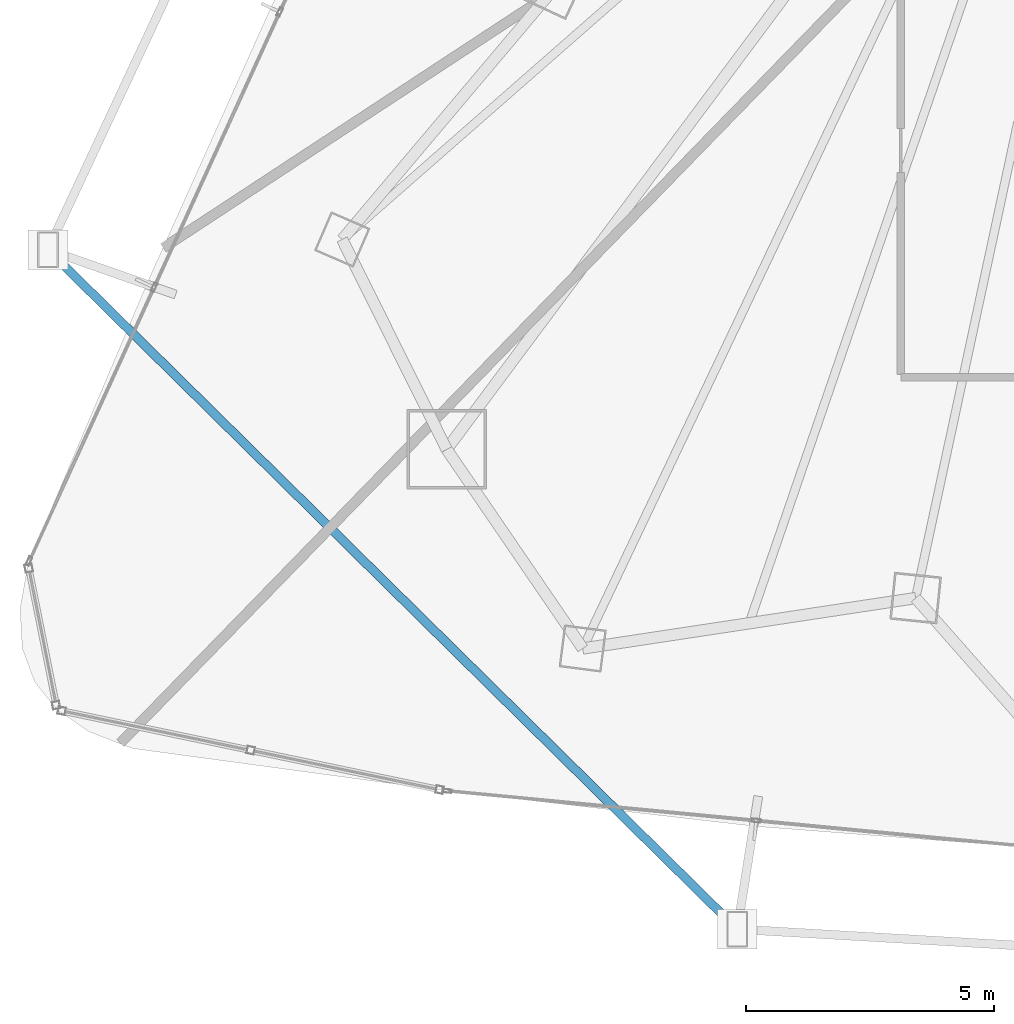
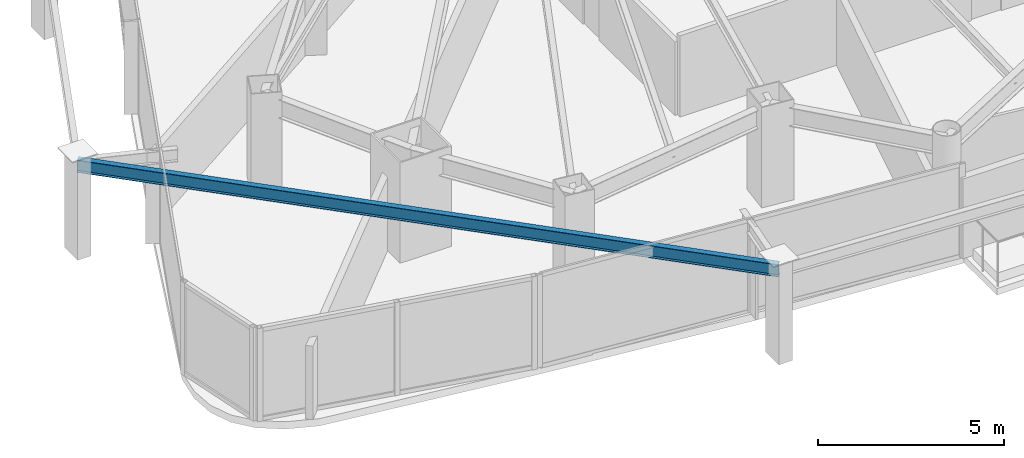
# One storey, part 3 of 33: 1 beam.
"""IFC4 building model written with IfcOpenShell, lengths in metres."""

from ifc_helpers import new_model, si_unit, direction, frame, origin, origin_2d, place, context, subcontext, project, spatial, i_section, extrude, material, material_profile, profile_set, type_object, element, save


model = new_model("IFC4")

# Units and contexts
model_context = context("Model", 3, precision=1e-05, world=origin(), true_north=direction((0.0, 1.0)))
body_context = subcontext(model_context, "Body", "Model", "MODEL_VIEW")
ifc_project = project(units=[si_unit("LENGTHUNIT", "METRE"), si_unit("AREAUNIT", "SQUARE_METRE"), si_unit("VOLUMEUNIT", "CUBIC_METRE"), si_unit("PLANEANGLEUNIT", "RADIAN"), si_unit("MASSUNIT", "GRAM", prefix="KILO")], contexts=[model_context])

# Site, building, storey
site_placement = place(None, origin())
site = spatial("IfcSite", under=ifc_project, at=site_placement, CompositionType="ELEMENT")
building_placement = place(site_placement, origin())
building = spatial("IfcBuilding", under=site, at=building_placement, Name="Orvanel Arch Residences", CompositionType="ELEMENT")
storey_placement = place(building_placement, frame((0.0, 0.0, 87.35009765625)))
storey = spatial("IfcBuildingStorey", under=building, at=storey_placement, Name="L24", CompositionType="ELEMENT", Elevation=87.35009765625)

# Beam
ifc_material = material(Name="Structural steel AS/NZS 3679.1 Grade 300 (300 MPa)", Category="steel")
ifc_material_profile = material_profile(ifc_material, i_section(OverallWidth=0.177978515625, OverallDepth=0.406005859375, WebThickness=0.0078125, FlangeThickness=0.0126953125, at=origin_2d()), Name="410UB59.7")
ifc_profile_set = profile_set([ifc_material_profile], Name="Structural steel AS/NZS 3679.1 Grade 300 (300 MPa)")
beam_type = type_object("IfcBeamType", Name="OB-410UB-EXT", PredefinedType="SPANDREL", material=ifc_profile_set)
beam_placement = place(storey_placement, frame((6.1650390625, 14.3720703125, 2.85693359375), z_axis=(0.71223293523, -0.70194319284, 0.0), x_axis=(0.70194319284, 0.71223293523, 0.0)))
element("IfcBeam", 1, at=beam_placement, inside=storey, type_object=beam_type, Name="L24 Outer Perimeter Floor Ring Beam 04", PredefinedType="SPANDREL", context=body_context, shape_type="SweptSolid", body=[
    extrude(i_section(OverallWidth=0.177978515625, OverallDepth=0.406005859375, WebThickness=0.0078125, FlangeThickness=0.0126953125, at=origin_2d()), origin(), (0.0, 0.0, 1.0), 19.503173828125),
])

save(model, "model.ifc")
